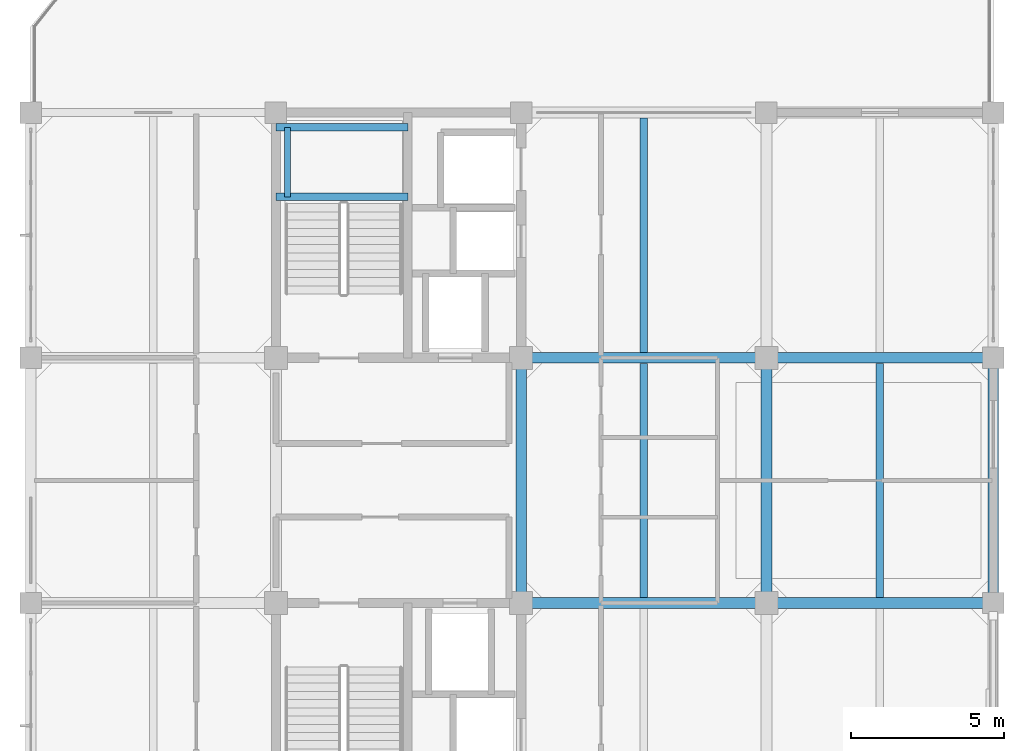
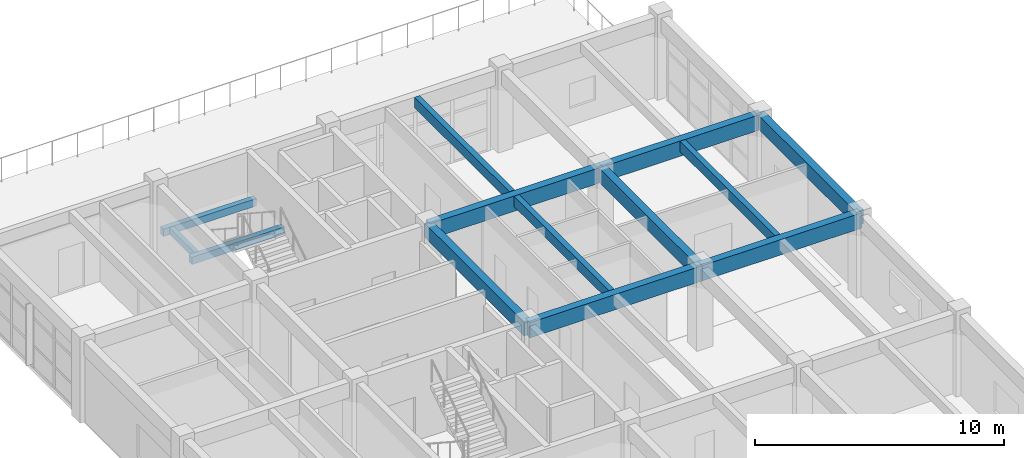
# One storey, part 9 of 19: 13 beams.
"""IFC4 building model written with IfcOpenShell, lengths in metres."""

from ifc_helpers import new_model, si_unit, direction, frame, origin, origin_2d, place, context, subcontext, project, spatial, rectangle, extrude, material, material_profile, profile_set, type_object, element, save


model = new_model("IFC4")

# Units and contexts
model_context = context("Model", 3, precision=1e-05, world=origin(), true_north=direction((0.0, 1.0)))
body_context = subcontext(model_context, "Body", "Model", "MODEL_VIEW")
ifc_project = project(units=[si_unit("LENGTHUNIT", "METRE"), si_unit("AREAUNIT", "SQUARE_METRE"), si_unit("VOLUMEUNIT", "CUBIC_METRE"), si_unit("PLANEANGLEUNIT", "RADIAN"), si_unit("MASSUNIT", "GRAM", prefix="KILO")], contexts=[model_context])

# Site, building, storey
site_placement = place(None, origin())
site = spatial("IfcSite", under=ifc_project, at=site_placement, CompositionType="ELEMENT")
building_placement = place(site_placement, origin())
building = spatial("IfcBuilding", under=site, at=building_placement, Name="Canggui Botanical Conservatory", CompositionType="ELEMENT")
storey_placement = place(building_placement, frame((0.0, 0.0, 48.60009765625)))
storey = spatial("IfcBuildingStorey", under=building, at=storey_placement, Name="L12", CompositionType="ELEMENT", Elevation=48.60009765625)

# Beams
ifc_material = material(Name="Concrete C35", Category="concrete")
ifc_material_profile_1 = material_profile(ifc_material, rectangle(XDim=0.25, YDim=0.5, at=origin_2d()), Name="RB 250x500")
ifc_profile_set_1 = profile_set([ifc_material_profile_1], Name="Concrete C35")
beam_type_1 = type_object("IfcBeamType", Name="BM-JST04", PredefinedType="JOIST", material=ifc_profile_set_1)
for number, where, z_axis, x_axis, name in (
    (1, (166.0, 50.179931640625, 3.7099609375), (0.0, 1.0, 0.0), (-1.0, 0.0, 0.0), "Secondary Floor Joist L12-3-3"),
    (2, (166.0, 58.179931640625, 3.7099609375), (0.0, 1.0, 0.0), (-1.0, 0.0, 0.0), "Secondary Floor Joist L12-3-4"),
    (3, (173.699951171875, 50.179931640625, 3.7099609375), (0.0, 1.0, 0.0), (-1.0, 0.0, 0.0), "Secondary Floor Joist L12-4-3"),
):
    element("IfcBeam", number, at=place(storey_placement, frame(where, z_axis=z_axis, x_axis=x_axis)), inside=storey, type_object=beam_type_1, Name=name, PredefinedType="JOIST", context=body_context, shape_type="SweptSolid", body=[
        extrude(rectangle(XDim=0.25, YDim=0.5, at=origin_2d()), origin(), (0.0, 0.0, 1.0), 7.64013671875),
    ])
ifc_material_profile_2 = material_profile(ifc_material, rectangle(XDim=0.35009765625, YDim=0.75, at=origin_2d()), Name="RB 350x750")
ifc_profile_set_2 = profile_set([ifc_material_profile_2], Name="Concrete C35")
beam_type_2 = type_object("IfcBeamType", Name="BM-KL16", PredefinedType="BEAM", material=ifc_profile_set_2)
beam_1_placement = place(storey_placement, frame((162.0, 50.0, 3.5849609375), z_axis=(1.0, 0.0, 0.0), x_axis=(0.0, 1.0, 0.0)))
element("IfcBeam", 4, at=beam_1_placement, inside=storey, type_object=beam_type_2, Name="Frame Girder L12 Y50-3", PredefinedType="BEAM", context=body_context, shape_type="SweptSolid", body=[
    extrude(rectangle(XDim=0.35009765625, YDim=0.75, at=origin_2d()), origin(), (0.0, 0.0, 1.0), 8.0),
])
beam_2_placement = place(storey_placement, frame((170.0, 50.0, 3.5849609375), z_axis=(1.0, 0.0, 0.0), x_axis=(0.0, 1.0, 0.0)))
element("IfcBeam", 5, at=beam_2_placement, inside=storey, type_object=beam_type_2, Name="Frame Girder L12 Y50-4", PredefinedType="BEAM", context=body_context, shape_type="SweptSolid", body=[
    extrude(rectangle(XDim=0.35009765625, YDim=0.75, at=origin_2d()), origin(), (0.0, 0.0, 1.0), 7.39990234375),
])
beam_3_placement = place(storey_placement, frame((162.0, 58.0, 3.5849609375), z_axis=(1.0, 0.0, 0.0), x_axis=(0.0, 1.0, 0.0)))
element("IfcBeam", 6, at=beam_3_placement, inside=storey, type_object=beam_type_2, Name="Frame Girder L12 Y58-3", PredefinedType="BEAM", context=body_context, shape_type="SweptSolid", body=[
    extrude(rectangle(XDim=0.35009765625, YDim=0.75, at=origin_2d()), origin(), (0.0, 0.0, 1.0), 8.0),
])
beam_4_placement = place(storey_placement, frame((170.0, 58.0, 3.5849609375), z_axis=(1.0, 0.0, 0.0), x_axis=(0.0, 1.0, 0.0)))
element("IfcBeam", 7, at=beam_4_placement, inside=storey, type_object=beam_type_2, Name="Frame Girder L12 Y58-4", PredefinedType="BEAM", context=body_context, shape_type="SweptSolid", body=[
    extrude(rectangle(XDim=0.35009765625, YDim=0.75, at=origin_2d()), origin(), (0.0, 0.0, 1.0), 7.39990234375),
])
ifc_material_profile_3 = material_profile(ifc_material, rectangle(XDim=0.35009765625, YDim=0.699951171875, at=origin_2d()), Name="RB 350x700")
ifc_profile_set_3 = profile_set([ifc_material_profile_3], Name="Concrete C35")
beam_type_3 = type_object("IfcBeamType", Name="BM-KL17", PredefinedType="BEAM", material=ifc_profile_set_3)
for number, where, z_axis, x_axis, name in (
    (8, (162.0, 50.0, 3.60986328125), (0.0, 1.0, 0.0), (-1.0, 0.0, 0.0), "Frame Girder L12 X162-3"),
    (9, (170.0, 50.0, 3.60986328125), (0.0, 1.0, 0.0), (-1.0, 0.0, 0.0), "Frame Girder L12 X170-3"),
    (10, (177.39990234375, 50.0, 3.60986328125), (0.0, 1.0, 0.0), (-1.0, 0.0, 0.0), "Frame Girder L12 X178-3"),
):
    element("IfcBeam", number, at=place(storey_placement, frame(where, z_axis=z_axis, x_axis=x_axis)), inside=storey, type_object=beam_type_3, Name=name, PredefinedType="BEAM", context=body_context, shape_type="SweptSolid", body=[
        extrude(rectangle(XDim=0.35009765625, YDim=0.699951171875, at=origin_2d()), origin(), (0.0, 0.0, 1.0), 8.0),
    ])
ifc_material_profile_4 = material_profile(ifc_material, rectangle(XDim=0.239990234375, YDim=0.360107421875, at=origin_2d()), Name="RB 240x360")
ifc_profile_set_4 = profile_set([ifc_material_profile_4], Name="Concrete C35")
beam_type_4 = type_object("IfcBeamType", Name="BM-LIN01", PredefinedType="LINTEL", material=ifc_profile_set_4)
for number, where, z_axis, x_axis, name in (
    (11, (154.0, 63.24755859375, 1.719970703125), (1.0, 0.0, 0.0), (0.0, 1.0, 0.0), "ST-T2 Half-Landing Ledger Beam L12-1.1"),
    (12, (154.0, 65.52001953125, 1.719970703125), (1.0, 0.0, 0.0), (0.0, 1.0, 0.0), "ST-T2 Half-Landing Ledger Beam L12-1.2"),
):
    element("IfcBeam", number, at=place(storey_placement, frame(where, z_axis=z_axis, x_axis=x_axis)), inside=storey, type_object=beam_type_4, Name=name, PredefinedType="LINTEL", context=body_context, shape_type="SweptSolid", body=[
        extrude(rectangle(XDim=0.239990234375, YDim=0.360107421875, at=origin_2d()), origin(), (0.0, 0.0, 1.0), 4.300048828125),
    ])
ifc_material_profile_5 = material_profile(ifc_material, rectangle(XDim=0.199951171875, YDim=0.320068359375, at=origin_2d()), Name="RB 200x320")
ifc_profile_set_5 = profile_set([ifc_material_profile_5], Name="Concrete C35")
beam_type_5 = type_object("IfcBeamType", Name="BM-LIN02", PredefinedType="LINTEL", material=ifc_profile_set_5)
beam_5_placement = place(storey_placement, frame((154.3798828125, 63.24755859375, 1.719970703125), z_axis=(0.0, 1.0, 0.0), x_axis=(-1.0, 0.0, 0.0)))
element("IfcBeam", 13, at=beam_5_placement, inside=storey, type_object=beam_type_5, Name="ST-T2 Half-Landing Edge Ledger L12-1.3", PredefinedType="LINTEL", context=body_context, shape_type="SweptSolid", body=[
    extrude(rectangle(XDim=0.199951171875, YDim=0.320068359375, at=origin_2d()), origin(), (0.0, 0.0, 1.0), 2.2724609375),
])

save(model, "model.ifc")
